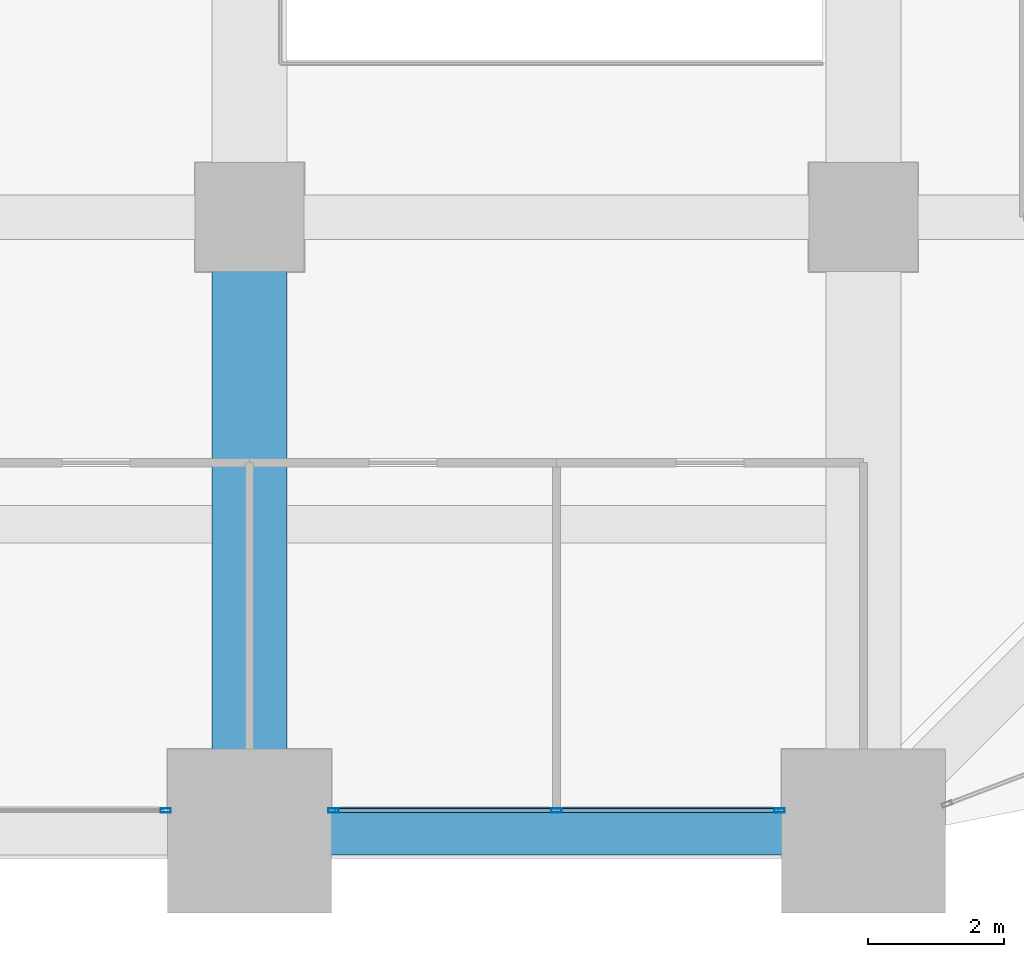
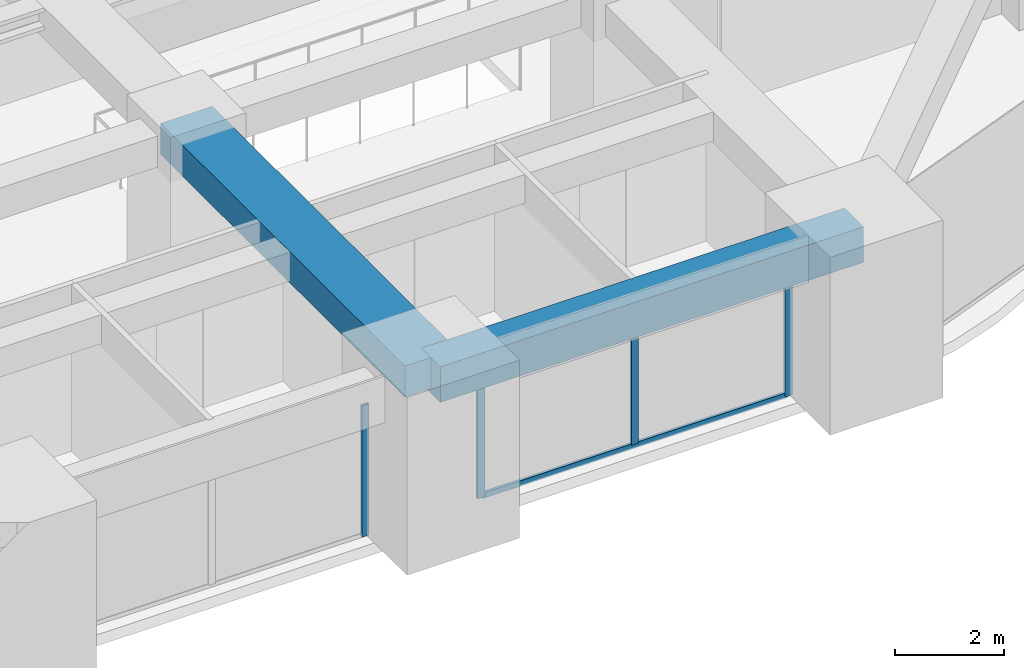
# One storey, part 13 of 33: 5 members, 2 beams, 2 elements without a shape of their own.
"""IFC4 building model written with IfcOpenShell, lengths in metres."""

from ifc_helpers import new_model, si_unit, direction, frame, origin, origin_2d, place, context, subcontext, project, spatial, rectangle, hollow_rectangle, extrude, material, material_profile, profile_set, type_object, element, aggregate, save


model = new_model("IFC4")

# Units and contexts
model_context = context("Model", 3, precision=1e-05, world=origin(), true_north=direction((0.0, 1.0)))
body_context = subcontext(model_context, "Body", "Model", "MODEL_VIEW")
ifc_project = project(units=[si_unit("LENGTHUNIT", "METRE"), si_unit("AREAUNIT", "SQUARE_METRE"), si_unit("VOLUMEUNIT", "CUBIC_METRE"), si_unit("PLANEANGLEUNIT", "RADIAN"), si_unit("MASSUNIT", "GRAM", prefix="KILO")], contexts=[model_context])

# Site, building, storey
site_placement = place(None, origin())
site = spatial("IfcSite", under=ifc_project, at=site_placement, CompositionType="ELEMENT")
building_placement = place(site_placement, origin())
building = spatial("IfcBuilding", under=site, at=building_placement, Name="Zorevar Civic Tower", CompositionType="ELEMENT")
storey_placement = place(building_placement, frame((0.0, 0.0, 178.199951171875)))
storey = spatial("IfcBuildingStorey", under=building, at=storey_placement, Name="L43", CompositionType="ELEMENT", Elevation=178.199951171875)

# Beam
ifc_material_1 = material(Name="Concrete C50/60", Category="concrete")
ifc_material_profile_1 = material_profile(ifc_material_1, rectangle(XDim=1.10009765625, YDim=0.699951171875, at=origin_2d()), Name="RC 1100x700")
ifc_profile_set_1 = profile_set([ifc_material_profile_1], Name="Concrete C50/60")
beam_type_1 = type_object("IfcBeamType", Name="Beam RC 1100x700", PredefinedType="BEAM", material=ifc_profile_set_1)
beam_1_placement = place(storey_placement, frame((36.0, 0.0, 3.400146484375), z_axis=(0.0, 1.0, 0.0), x_axis=(-1.0, 0.0, 0.0)))
element("IfcBeam", 1, at=beam_1_placement, inside=storey, type_object=beam_type_1, Name="Girder L44", PredefinedType="BEAM", context=body_context, shape_type="SweptSolid", body=[
    extrude(rectangle(XDim=1.10009765625, YDim=0.699951171875, at=origin_2d()), origin(), (0.0, 0.0, 1.0), 9.0),
])

# Curtain wall, member
ifc_material_2 = material(Name="Dark grey solar-control glass in black aluminium frame", Category="aluminium")
curtain_wall_type = type_object("IfcCurtainWallType", Name="Curtain wall CW4 high zone", PredefinedType="NOTDEFINED", material=ifc_material_2)
curtain_wall_1_placement = place(storey_placement, origin())
curtain_wall_1 = element("IfcCurtainWall", 2, at=curtain_wall_1_placement, inside=storey, type_object=curtain_wall_type, Name="CW4 L43", PredefinedType="NOTDEFINED")
ifc_material_3 = material(Name="Aluminium, black anodised", Category="aluminium")
ifc_material_profile_2 = material_profile(ifc_material_3, hollow_rectangle(XDim=0.06005859375, YDim=0.14990234375, WallThickness=0.00390625, at=origin_2d()), Name="AL 150x60x4")
ifc_profile_set_2 = profile_set([ifc_material_profile_2], Name="Aluminium, black anodised")
member_type_1 = type_object("IfcMemberType", Name="CW4 mullion AL 150x60x4", PredefinedType="MULLION", material=ifc_profile_set_2)
member_1_placement = place(storey_placement, frame((34.77001953125, 0.300048828125, 0.0), z_axis=(0.0, 0.0, 1.0), x_axis=(0.0, 1.0, 0.0)))
member_1 = element("IfcMember", 3, at=member_1_placement, type_object=member_type_1, Name="CW4 mullion 3", PredefinedType="MULLION", context=body_context, shape_type="SweptSolid", body=[
    extrude(hollow_rectangle(XDim=0.06005859375, YDim=0.14990234375, WallThickness=0.00390625, at=origin_2d()), origin(), (0.0, 0.0, 1.0), 2.949951171875),
])
aggregate(curtain_wall_1, [member_1])

# Curtain wall, members
curtain_wall_2_placement = place(storey_placement, origin())
curtain_wall_2 = element("IfcCurtainWall", 4, at=curtain_wall_2_placement, inside=storey, type_object=curtain_wall_type, Name="CW4 L43", PredefinedType="NOTDEFINED")
member_2_placement = place(storey_placement, frame((37.22998046875, 0.300048828125, 0.0), z_axis=(0.0, 0.0, 1.0), x_axis=(0.0, 1.0, 0.0)))
member_2 = element("IfcMember", 5, at=member_2_placement, type_object=member_type_1, Name="CW4 mullion 1", PredefinedType="MULLION", context=body_context, shape_type="SweptSolid", body=[
    extrude(hollow_rectangle(XDim=0.06005859375, YDim=0.14990234375, WallThickness=0.00390625, at=origin_2d()), origin(), (0.0, 0.0, 1.0), 2.949951171875),
])
member_3_placement = place(storey_placement, frame((40.5, 0.300048828125, 0.06005859375), z_axis=(0.0, 0.0, 1.0), x_axis=(0.0, 1.0, 0.0)))
member_3 = element("IfcMember", 6, at=member_3_placement, type_object=member_type_1, Name="CW4 mullion 2", PredefinedType="MULLION", context=body_context, shape_type="SweptSolid", body=[
    extrude(hollow_rectangle(XDim=0.06005859375, YDim=0.14990234375, WallThickness=0.00390625, at=origin_2d()), origin(), (0.0, 0.0, 1.0), 2.889892578125),
])
member_4_placement = place(storey_placement, frame((43.77001953125, 0.300048828125, 0.0), z_axis=(0.0, 0.0, 1.0), x_axis=(0.0, 1.0, 0.0)))
member_4 = element("IfcMember", 7, at=member_4_placement, type_object=member_type_1, Name="CW4 mullion 3", PredefinedType="MULLION", context=body_context, shape_type="SweptSolid", body=[
    extrude(hollow_rectangle(XDim=0.06005859375, YDim=0.14990234375, WallThickness=0.00390625, at=origin_2d()), origin(), (0.0, 0.0, 1.0), 2.949951171875),
])
ifc_material_4 = material(Name="Aluminium, black anodised", Category="aluminium")
ifc_material_profile_3 = material_profile(ifc_material_4, hollow_rectangle(XDim=0.06005859375, YDim=0.1201171875, WallThickness=0.0029296875, at=origin_2d()), Name="AL 120x60x3")
ifc_profile_set_3 = profile_set([ifc_material_profile_3], Name="Aluminium, black anodised")
member_type_2 = type_object("IfcMemberType", Name="CW4 transom AL 120x60x3", PredefinedType="USERDEFINED", material=ifc_profile_set_3)
member_5_placement = place(storey_placement, frame((37.260009765625, 0.300048828125, 0.030029296875), z_axis=(1.0, 0.0, 0.0), x_axis=(0.0, 1.0, 0.0)))
member_5 = element("IfcMember", 8, at=member_5_placement, type_object=member_type_2, Name="CW4 sill transom", ObjectType="TRANSOM", PredefinedType="USERDEFINED", context=body_context, shape_type="SweptSolid", body=[
    extrude(hollow_rectangle(XDim=0.06005859375, YDim=0.1201171875, WallThickness=0.0029296875, at=origin_2d()), origin(), (0.0, 0.0, 1.0), 6.47998046875),
])
aggregate(curtain_wall_2, [member_2, member_3, member_4, member_5])

# Beam
ifc_material_5 = material(Name="Concrete C50/60", Category="concrete")
ifc_material_profile_4 = material_profile(ifc_material_5, rectangle(XDim=0.699951171875, YDim=0.800048828125, at=origin_2d()), Name="RC 700x800")
ifc_profile_set_4 = profile_set([ifc_material_profile_4], Name="Concrete C50/60")
beam_type_2 = type_object("IfcBeamType", Name="Edge beam RC 700x800", PredefinedType="SPANDREL", material=ifc_profile_set_4)
beam_2_placement = place(storey_placement, frame((36.0, 0.0, 3.35009765625), z_axis=(1.0, 0.0, 0.0), x_axis=(0.0, 1.0, 0.0)))
element("IfcBeam", 9, at=beam_2_placement, inside=storey, type_object=beam_type_2, Name="Edge beam L44", PredefinedType="SPANDREL", context=body_context, shape_type="SweptSolid", body=[
    extrude(rectangle(XDim=0.699951171875, YDim=0.800048828125, at=origin_2d()), origin(), (0.0, 0.0, 1.0), 9.0),
])

save(model, "model.ifc")
